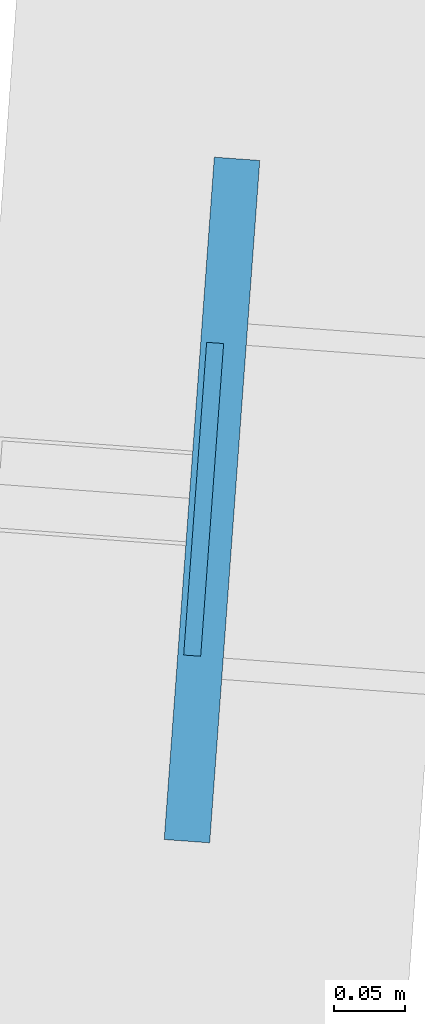
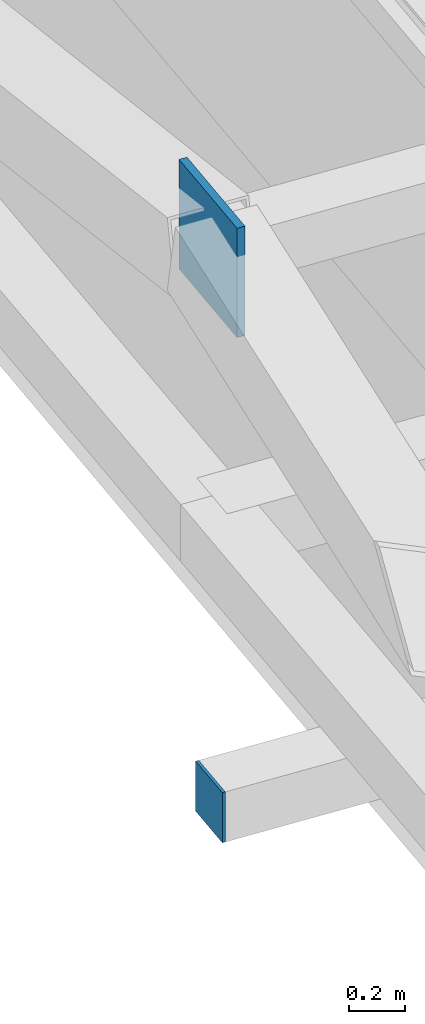
# One storey, part 27 of 37: 2 plates.
"""IFC4 building model written with IfcOpenShell, lengths in metres."""

import ifcopenshell
import ifcopenshell.guid

model = None  # the IFC model being written
_history = None  # IfcOwnerHistory: only IFC2X3 demands one
_inside = {}  # id of a spatial element -> (the spatial element, [elements in it])
_under = {}  # id of a project, library or spatial element -> (it, [spatial elements below it])
_declared = {}  # id of a project -> (the project, [libraries it declares])
_typed = {}  # id of a type object -> (the type object, [elements of that type])
_made_of = {}  # id of a material, layer set ... -> (it, [elements and type objects made of it])


def new_model(schema):
    """Start an empty IFC model of exactly this schema.

    Asked for "IFC4X3", IfcOpenShell would pick the latest addendum, in which some entities
    have other attributes; the version numbers below select the first issue.
    IFC2X3 requires an IfcOwnerHistory on every rooted entity: one is made here for all.
    """
    global model, _history
    if schema == "IFC4X3":
        model = ifcopenshell.file(schema_version=(4, 3, 0, 0))
    else:
        model = ifcopenshell.file(schema=schema)
    _inside.clear()
    _under.clear()
    _declared.clear()
    _typed.clear()
    _made_of.clear()
    _history = None
    if model.schema == "IFC2X3":
        org = make("IfcOrganization", Name="unknown")
        user = make(
            "IfcPersonAndOrganization",
            ThePerson=make("IfcPerson", FamilyName="unknown"),
            TheOrganization=org,
        )
        app = make(
            "IfcApplication",
            ApplicationDeveloper=org,
            Version="unknown",
            ApplicationFullName="unknown",
            ApplicationIdentifier="unknown",
        )
        _history = make(
            "IfcOwnerHistory",
            OwningUser=user,
            OwningApplication=app,
            ChangeAction="ADDED",
            CreationDate=0,
        )
    return model


def make(cls, **values):
    """One entity of the class cls with the attributes given. An attribute that is None is left unset."""
    return model.create_entity(
        cls, **{name: value for name, value in values.items() if value is not None}
    )


def rooted(cls, **values):
    """An entity with a GlobalId (a new one), such as an element, a storey or a relation."""
    return make(cls, GlobalId=ifcopenshell.guid.new(), OwnerHistory=_history, **values)


def si_unit(unit_type, name, prefix=None):
    """IfcSIUnit, for example si_unit("LENGTHUNIT", "METRE", prefix="MILLI")."""
    return make("IfcSIUnit", UnitType=unit_type, Prefix=prefix, Name=name)


def assignment(units):
    """IfcUnitAssignment: the units of a project."""
    return None if units is None else make("IfcUnitAssignment", Units=units)


def point(xyz):
    """IfcCartesianPoint."""
    return None if xyz is None else make("IfcCartesianPoint", Coordinates=xyz)


def direction(xyz):
    """IfcDirection."""
    return None if xyz is None else make("IfcDirection", DirectionRatios=xyz)


def frame(location, z_axis=None, x_axis=None):
    """IfcAxis2Placement3D, a coordinate frame: its origin and axes. An axis left out is left unset."""
    return make(
        "IfcAxis2Placement3D",
        Location=point(location),
        Axis=direction(z_axis),
        RefDirection=direction(x_axis),
    )


def frame_2d(location, x_axis=None):
    """IfcAxis2Placement2D, a coordinate frame in the plane: its origin and x axis."""
    return make(
        "IfcAxis2Placement2D", Location=point(location), RefDirection=direction(x_axis)
    )


def origin():
    """The frame at (0, 0, 0) with its axes left unset."""
    return frame((0.0, 0.0, 0.0))


def origin_2d():
    """The frame at (0, 0) in the plane with its x axis left unset."""
    return frame_2d((0.0, 0.0))


def place(relative_to, where):
    """IfcLocalPlacement: puts the frame where relative to a parent placement (None: the world)."""
    return make(
        "IfcLocalPlacement", PlacementRelTo=relative_to, RelativePlacement=where
    )


def context(
    kind, dimensions, precision=None, world=None, true_north=None, identifier=None
):
    """IfcGeometricRepresentationContext, for example the 3D "Model" context."""
    return make(
        "IfcGeometricRepresentationContext",
        ContextIdentifier=identifier,
        ContextType=kind,
        CoordinateSpaceDimension=dimensions,
        Precision=precision,
        WorldCoordinateSystem=world,
        TrueNorth=true_north,
    )


def subcontext(parent, identifier, kind, view, scale=None):
    """IfcGeometricRepresentationSubContext, for example "Body" below "Model"."""
    return make(
        "IfcGeometricRepresentationSubContext",
        ContextIdentifier=identifier,
        ContextType=kind,
        ParentContext=parent,
        TargetScale=scale,
        TargetView=view,
    )


def project(units=None, contexts=None):
    """IfcProject with its units and contexts."""
    return rooted(
        "IfcProject",
        Name="project",
        RepresentationContexts=contexts,
        UnitsInContext=assignment(units),
    )


def spatial(cls, under=None, at=None, **own):
    """A site, building, storey or space (cls), placed at a placement, below another one or the project."""
    s = rooted(cls, ObjectPlacement=at, **own)
    if under is not None:
        _under.setdefault(under.id(), (under, []))[1].append(s)
    return s


def profile(cls, at=None, kind="AREA", **sizes):
    """A parametric profile (cls). Its sizes go by their IFC names, for example OverallWidth=200.0."""
    return make(cls, ProfileType=kind, Position=at, **sizes)


def rectangle(**sizes):
    """IfcRectangleProfileDef."""
    return profile("IfcRectangleProfileDef", **sizes)


def extrude(swept, where, along, depth):
    """IfcExtrudedAreaSolid: the profile swept, set in the frame where, extruded along a direction by depth."""
    return make(
        "IfcExtrudedAreaSolid",
        SweptArea=swept,
        Position=where,
        ExtrudedDirection=direction(along),
        Depth=depth,
    )


def shape(context_of_items, identifier, shape_type, items):
    """IfcShapeRepresentation: the items that make up one representation, for example the "Body"."""
    return make(
        "IfcShapeRepresentation",
        ContextOfItems=context_of_items,
        RepresentationIdentifier=identifier,
        RepresentationType=shape_type,
        Items=items,
    )


def source(mapping_origin, context_of_items, identifier, shape_type, items):
    """IfcRepresentationMap: a shape defined once, which mapped items show again and again."""
    return make(
        "IfcRepresentationMap",
        MappingOrigin=mapping_origin,
        MappedRepresentation=shape(context_of_items, identifier, shape_type, items),
    )


def transform(
    local_origin,
    x_axis=None,
    y_axis=None,
    z_axis=None,
    scale=None,
    scale2=None,
    scale3=None,
    uniform=True,
):
    """IfcCartesianTransformationOperator3D, or its non-uniform kind. x_axis, y_axis, z_axis: its Axis1, 2, 3."""
    if uniform:
        return make(
            "IfcCartesianTransformationOperator3D",
            Axis1=direction(x_axis),
            Axis2=direction(y_axis),
            LocalOrigin=point(local_origin),
            Scale=scale,
            Axis3=direction(z_axis),
        )
    return make(
        "IfcCartesianTransformationOperator3DnonUniform",
        Axis1=direction(x_axis),
        Axis2=direction(y_axis),
        LocalOrigin=point(local_origin),
        Scale=scale,
        Axis3=direction(z_axis),
        Scale2=scale2,
        Scale3=scale3,
    )


def mapped(mapping_source, mapping_target):
    """IfcMappedItem: shows the shape of a source again, moved by a transform."""
    return make(
        "IfcMappedItem", MappingSource=mapping_source, MappingTarget=mapping_target
    )


def material(Name=None, Category=None):
    """IfcMaterial."""
    return make("IfcMaterial", Name=Name, Category=Category)


def layer(
    of_material, thickness, ventilated=None, Name=None, Category=None, Priority=None
):
    """IfcMaterialLayer: one layer of a wall or slab, of a material (None: an air gap)."""
    return make(
        "IfcMaterialLayer",
        Material=of_material,
        LayerThickness=thickness,
        IsVentilated=ventilated,
        Name=Name,
        Category=Category,
        Priority=Priority,
    )


def layer_set(layers, Name=None):
    """IfcMaterialLayerSet."""
    return make("IfcMaterialLayerSet", MaterialLayers=layers, LayerSetName=Name)


def made_of(thing, what):
    """Note that an element or type object is made of a material, layer set ...; save() writes the relation."""
    if what is not None:
        _made_of.setdefault(what.id(), (what, []))[1].append(thing)
    return thing


def type_object(cls, material=None, **own):
    """A type object (cls), such as IfcWallType, which elements share."""
    return made_of(rooted(cls, **own), material)


def element(
    cls,
    number,
    at=None,
    inside=None,
    cuts=None,
    type_object=None,
    material=None,
    context=None,
    identifier="Body",
    shape_type=None,
    held_by="IfcProductDefinitionShape",
    body=None,
    shapes=None,
    **own,
):
    """One element of the class cls, such as IfcWall. Its Tag is "e" and its number.

    at: its placement. inside: the storey or other place that contains it. cuts: it is an
    opening in that element (IfcRelVoidsElement). A single representation is given by context,
    identifier, shape_type and body (its items); several are given by shapes. held_by: the class
    of the entity that holds the representations. save() writes the other relations.
    """
    e = rooted(cls, Tag="e%d" % number, ObjectPlacement=at, **own)
    if body is not None:
        shapes = [shape(context, identifier, shape_type, body)]
    if shapes is not None:
        e.Representation = make(held_by, Representations=shapes)
    if inside is not None:
        _inside.setdefault(inside.id(), (inside, []))[1].append(e)
    if cuts is not None:
        rooted(
            "IfcRelVoidsElement", RelatingBuildingElement=cuts, RelatedOpeningElement=e
        )
    if type_object is not None:
        _typed.setdefault(type_object.id(), (type_object, []))[1].append(e)
    return made_of(e, material)


def aggregate(whole, parts):
    """IfcRelAggregates: a whole, such as a stair, and the parts it consists of."""
    return rooted("IfcRelAggregates", RelatingObject=whole, RelatedObjects=parts)


def save(model, path):
    """Write the relations noted so far, then the file.

    IfcRelAggregates (storeys below a building ...), IfcRelContainedInSpatialStructure (elements
    in a storey), IfcRelDefinesByType, IfcRelAssociatesMaterial and IfcRelDeclares: one each for
    every whole, place, type object, material and project.
    """
    for whole, parts in _under.values():
        aggregate(whole, parts)
    for where, things in _inside.values():
        rooted(
            "IfcRelContainedInSpatialStructure",
            RelatedElements=things,
            RelatingStructure=where,
        )
    for kind, things in _typed.values():
        rooted("IfcRelDefinesByType", RelatedObjects=things, RelatingType=kind)
    for what, things in _made_of.values():
        rooted("IfcRelAssociatesMaterial", RelatedObjects=things, RelatingMaterial=what)
    for by, libraries in _declared.values():
        rooted("IfcRelDeclares", RelatingContext=by, RelatedDefinitions=libraries)
    model.write(path)


model = new_model("IFC4")

# Units and contexts
model_context = context("Model", 3, precision=1e-05, world=origin(), true_north=direction((0.0, 1.0)))
body_context = subcontext(model_context, "Body", "Model", "MODEL_VIEW")
ifc_project = project(units=[si_unit("LENGTHUNIT", "METRE"), si_unit("AREAUNIT", "SQUARE_METRE"), si_unit("VOLUMEUNIT", "CUBIC_METRE"), si_unit("PLANEANGLEUNIT", "RADIAN"), si_unit("MASSUNIT", "GRAM", prefix="KILO")], contexts=[model_context])

# Site, building, storey
site_placement = place(None, origin())
site = spatial("IfcSite", under=ifc_project, at=site_placement, CompositionType="ELEMENT")
building_placement = place(site_placement, origin())
building = spatial("IfcBuilding", under=site, at=building_placement, Name="Taldren Reach Tower", CompositionType="ELEMENT")
storey_placement = place(building_placement, frame((0.0, 0.0, 211.39990234375)))
storey = spatial("IfcBuildingStorey", under=building, at=storey_placement, Name="L64", CompositionType="ELEMENT", Elevation=211.39990234375)

# Plates
ifc_material = material(Name="Steel Gr 450 (C450L0)", Category="steel")
ifc_layer_1 = layer(ifc_material, 0.031982421875)
ifc_layer_set_1 = layer_set([ifc_layer_1], Name="Steel Gr 450 (C450L0)")
plate_type_1 = type_object("IfcPlateType", Name="PL-GUSSET-32", PredefinedType="SHEET", material=ifc_layer_set_1)
shared_shape_1 = source(origin(), body_context, "Body", "SweptSolid", [
    extrude(rectangle(XDim=0.47998046875, YDim=0.031982421875, at=origin_2d()), origin(), (0.0, 0.0, 1.0), 0.47998046875),
])
plate_1_placement = place(storey_placement, frame((11.562744140625, 21.913818359375, 2.41015625), z_axis=(0.0, 0.0, 1.0), x_axis=(0.073238197128, 0.997314477224, 0.0)))
element("IfcPlate", 1, at=plate_1_placement, inside=storey, type_object=plate_type_1, Name="Exoskeleton star-node gusset plate B5-W2 L64", PredefinedType="SHEET", context=body_context, shape_type="MappedRepresentation", body=[
    mapped(shared_shape_1, transform((0.0, 0.0, 0.0), scale=1.0)),
])
ifc_layer_2 = layer(ifc_material, 0.011962890625)
ifc_layer_set_2 = layer_set([ifc_layer_2], Name="Steel Gr 450 (C450L0)")
plate_type_2 = type_object("IfcPlateType", Name="PL-CAP-220", PredefinedType="SHEET", material=ifc_layer_set_2)
shared_shape_2 = source(origin(), body_context, "Body", "SweptSolid", [
    extrude(rectangle(XDim=0.011962890625, YDim=0.219970703125, at=origin_2d()), origin(), (0.0, 0.0, 1.0), 0.219970703125),
])
plate_2_placement = place(storey_placement, frame((11.556884765625, 21.914306640625, 0.1103515625), z_axis=(0.0, 0.0, 1.0), x_axis=(0.997314477224, -0.073238197128, 0.0)))
element("IfcPlate", 2, at=plate_2_placement, inside=storey, type_object=plate_type_2, Name="Tie strut end cap plate B5-W2 L64", PredefinedType="SHEET", context=body_context, shape_type="MappedRepresentation", body=[
    mapped(shared_shape_2, transform((0.0, 0.0, 0.0), scale=1.0)),
])

save(model, "model.ifc")
